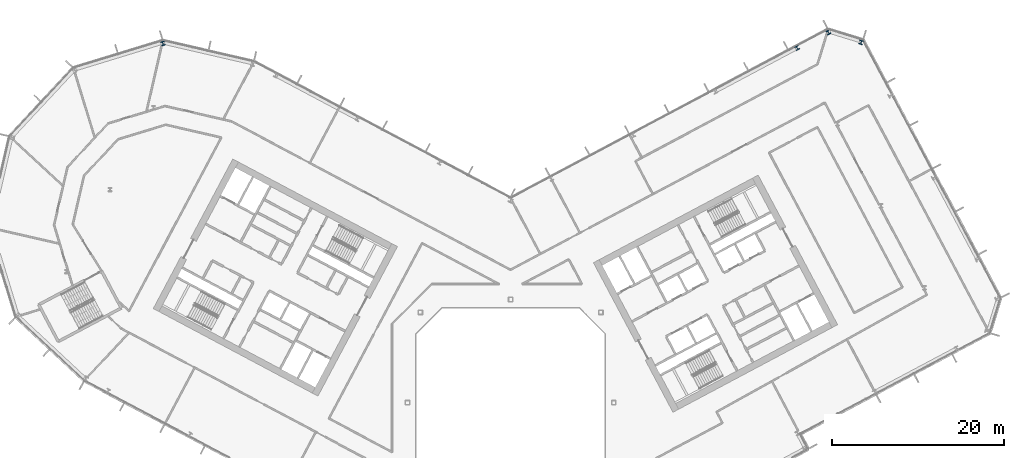
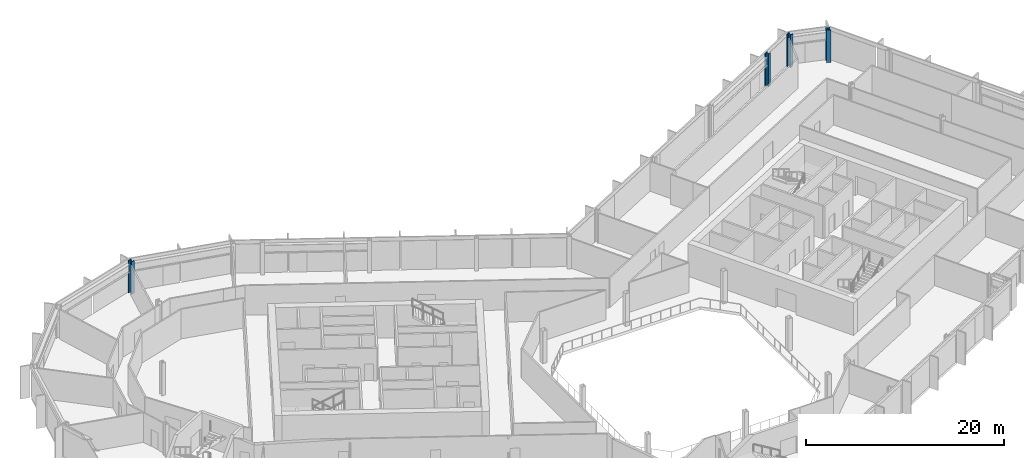
# One storey, part 8 of 28: 4 columns.
"""IFC4 building model written with IfcOpenShell, lengths in metres."""

from ifc_helpers import new_model, si_unit, direction, frame, origin, origin_2d, place, context, subcontext, project, spatial, i_section, extrude, material, material_profile, profile_set, type_object, element, save


model = new_model("IFC4")

# Units and contexts
model_context = context("Model", 3, precision=1e-05, world=origin(), true_north=direction((0.0, 1.0)))
body_context = subcontext(model_context, "Body", "Model", "MODEL_VIEW")
ifc_project = project(units=[si_unit("LENGTHUNIT", "METRE"), si_unit("AREAUNIT", "SQUARE_METRE"), si_unit("VOLUMEUNIT", "CUBIC_METRE"), si_unit("PLANEANGLEUNIT", "RADIAN"), si_unit("MASSUNIT", "GRAM", prefix="KILO")], contexts=[model_context])

# Site, building, storey
site_placement = place(None, origin())
site = spatial("IfcSite", under=ifc_project, at=site_placement, CompositionType="ELEMENT")
building_placement = place(site_placement, origin())
building = spatial("IfcBuilding", under=site, at=building_placement, Name="Cormorant Relay Tower", CompositionType="ELEMENT")
storey_placement = place(building_placement, frame((0.0, 0.0, 126.199951171875)))
storey = spatial("IfcBuildingStorey", under=building, at=storey_placement, Name="L25", CompositionType="ELEMENT", Elevation=126.199951171875)

# Columns
ifc_material_1 = material(Name="Steel ASTM A992 (Fy 345 MPa)", Category="steel")
ifc_material_profile_1 = material_profile(ifc_material_1, i_section(OverallWidth=0.41162109375, OverallDepth=0.434326171875, WebThickness=0.035888671875, FlangeThickness=0.057373046875, FilletRadius=0.01513671875, at=origin_2d()), Name="W360x463")
ifc_profile_set_1 = profile_set([ifc_material_profile_1], Name="Steel ASTM A992 (Fy 345 MPa)")
column_type_1 = type_object("IfcColumnType", Name="Column W360x463", PredefinedType="COLUMN", material=ifc_profile_set_1)
column_placement = place(storey_placement, frame((33.33203125, 41.258056640625, 0.0), z_axis=(0.0, 0.0, 1.0), x_axis=(-0.882947592859, -0.469471562786, 0.0)))
element("IfcColumn", 1, at=column_placement, inside=storey, type_object=column_type_1, Name="Column L25-047", PredefinedType="COLUMN", context=body_context, shape_type="SweptSolid", body=[
    extrude(i_section(OverallWidth=0.41162109375, OverallDepth=0.434326171875, WebThickness=0.035888671875, FlangeThickness=0.057373046875, FilletRadius=0.01513671875, at=origin_2d()), origin(), (0.0, 0.0, 1.0), 4.0),
])
ifc_material_2 = material(Name="Steel ASTM A992 (Fy 345 MPa)", Category="steel")
ifc_material_profile_2 = material_profile(ifc_material_2, i_section(OverallWidth=0.42431640625, OverallDepth=0.47509765625, WebThickness=0.0478515625, FlangeThickness=0.0771484375, FilletRadius=0.014892578125, at=origin_2d()), Name="W360x634")
ifc_profile_set_2 = profile_set([ifc_material_profile_2], Name="Steel ASTM A992 (Fy 345 MPa)")
column_type_2 = type_object("IfcColumnType", Name="Column W360x634", PredefinedType="COLUMN", material=ifc_profile_set_2)
for number, where, z_axis, x_axis, name in (
    (2, (-40.4541015625, 41.783935546875, 0.0), (0.0, 0.0, 1.0), (-0.956304755963, -0.292371704723, 0.0), "Column L25-048"),
    (3, (40.77197265625, 41.9130859375, 0.0), (0.0, 0.0, 1.0), (-0.956304755963, 0.292371704723, 0.0), "Column L25-049"),
    (4, (36.970947265625, 43.075927734375, 0.0), (0.0, 0.0, 1.0), (-0.882947592859, -0.469471562786, 0.0), "Column L25-050"),
):
    element("IfcColumn", number, at=place(storey_placement, frame(where, z_axis=z_axis, x_axis=x_axis)), inside=storey, type_object=column_type_2, Name=name, PredefinedType="COLUMN", context=body_context, shape_type="SweptSolid", body=[
        extrude(i_section(OverallWidth=0.42431640625, OverallDepth=0.47509765625, WebThickness=0.0478515625, FlangeThickness=0.0771484375, FilletRadius=0.014892578125, at=origin_2d()), origin(), (0.0, 0.0, 1.0), 4.0),
    ])

save(model, "model.ifc")
